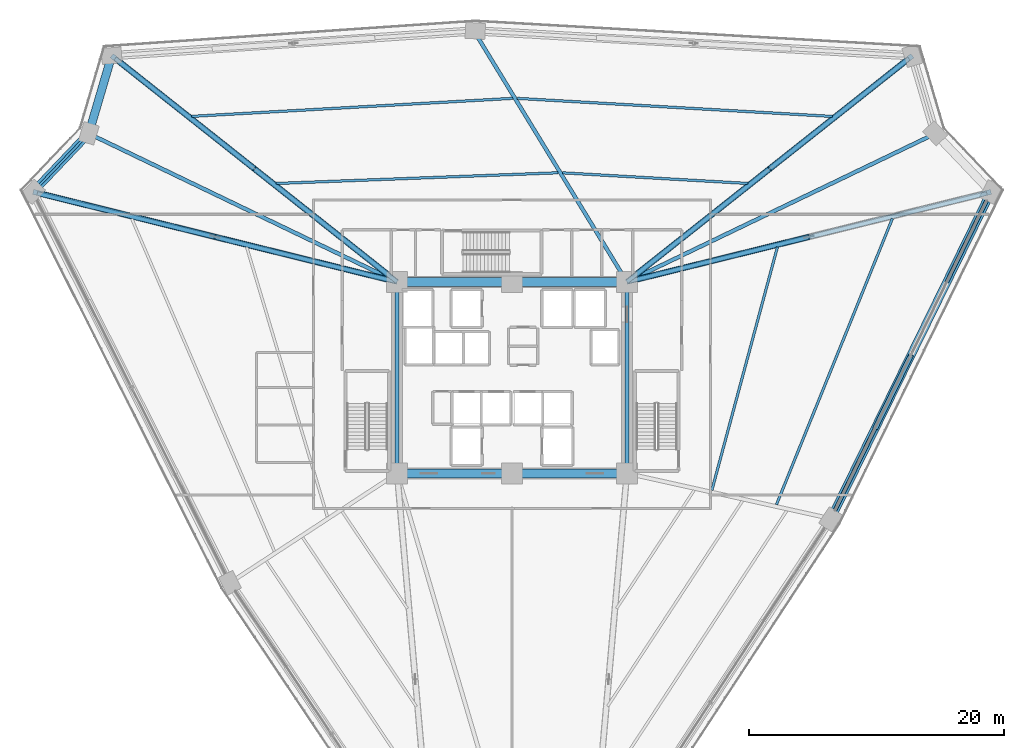
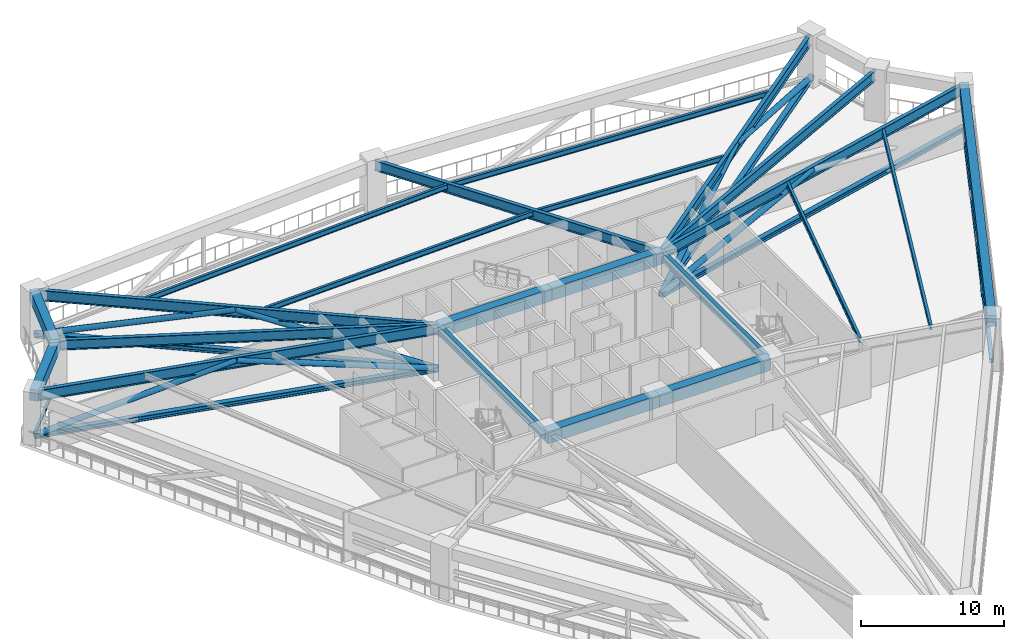
# One storey, part 7 of 25: 22 beams, 14 members.
"""IFC4 building model written with IfcOpenShell, lengths in metres."""

from ifc_helpers import new_model, si_unit, direction, frame, origin, origin_2d, place, context, subcontext, project, spatial, rectangle, hollow_rectangle, hollow_circle, i_section, extrude, source, transform, mapped, material, material_profile, profile_set, type_object, element, save


model = new_model("IFC4")

# Units and contexts
model_context = context("Model", 3, precision=1e-05, world=origin(), true_north=direction((0.0, 1.0)))
body_context = subcontext(model_context, "Body", "Model", "MODEL_VIEW")
ifc_project = project(units=[si_unit("LENGTHUNIT", "METRE"), si_unit("AREAUNIT", "SQUARE_METRE"), si_unit("VOLUMEUNIT", "CUBIC_METRE"), si_unit("PLANEANGLEUNIT", "RADIAN"), si_unit("MASSUNIT", "GRAM", prefix="KILO")], contexts=[model_context])

# Site, building, storey
site_placement = place(None, origin())
site = spatial("IfcSite", under=ifc_project, at=site_placement, CompositionType="ELEMENT")
building_placement = place(site_placement, origin())
building = spatial("IfcBuilding", under=site, at=building_placement, Name="Liaohun Quay Tower", CompositionType="ELEMENT")
storey_placement = place(building_placement, frame((0.0, 0.0, 93.0)))
storey = spatial("IfcBuildingStorey", under=building, at=storey_placement, Name="L24", CompositionType="ELEMENT", Elevation=93.0)

# Beams
ifc_material_1 = material(Name="Concrete C60", Category="concrete")
ifc_material_profile_1 = material_profile(ifc_material_1, rectangle(XDim=0.699951171875, YDim=1.050048828125, at=origin_2d()), Name="RC700x1050")
ifc_profile_set_1 = profile_set([ifc_material_profile_1], Name="Concrete C60")
beam_type_1 = type_object("IfcBeamType", Name="BM-CPL-1", PredefinedType="LINTEL", material=ifc_profile_set_1)
shared_shape_1 = source(origin(), body_context, "Body", "SweptSolid", [
    extrude(rectangle(XDim=0.699951171875, YDim=1.050048828125, at=origin_2d()), origin(), (0.0, 0.0, 1.0), 9.0),
])
for number, where, z_axis, x_axis, name in (
    (1, (51.0, 46.5, 3.695068359375), (1.0, 0.0, 0.0), (0.0, 1.0, 0.0), "L24 Core Coupling/Ring Beam CC1-CC2"),
    (2, (60.0, 46.5, 3.695068359375), (1.0, 0.0, 0.0), (0.0, 1.0, 0.0), "L24 Core Coupling/Ring Beam CC2-CC3"),
    (3, (69.0, 61.5, 3.695068359375), (-1.0, 0.0, 0.0), (0.0, -1.0, 0.0), "L24 Core Coupling/Ring Beam CC4-CC5"),
    (4, (60.0, 61.5, 3.695068359375), (-1.0, 0.0, 0.0), (0.0, -1.0, 0.0), "L24 Core Coupling/Ring Beam CC5-CC6"),
):
    element("IfcBeam", number, at=place(storey_placement, frame(where, z_axis=z_axis, x_axis=x_axis)), inside=storey, type_object=beam_type_1, Name=name, PredefinedType="LINTEL", context=body_context, shape_type="MappedRepresentation", body=[
        mapped(shared_shape_1, transform((0.0, 0.0, 0.0), x_axis=(1.0, 0.0, 0.0), y_axis=(0.0, 1.0, 0.0), z_axis=(0.0, 0.0, 1.0), scale=1.0)),
    ])
ifc_material_2 = material(Name="Steel Q355D", Category="steel")
ifc_material_profile_2 = material_profile(ifc_material_2, i_section(OverallWidth=0.300048828125, OverallDepth=0.800048828125, WebThickness=0.013916015625, FlangeThickness=0.02587890625, at=origin_2d()), Name="HN800x300x14x26")
ifc_profile_set_2 = profile_set([ifc_material_profile_2], Name="Steel Q355D")
beam_type_2 = type_object("IfcBeamType", Name="BM-RAD-M1", PredefinedType="BEAM", material=ifc_profile_set_2)
shared_shape_2 = source(origin(), body_context, "Body", "SweptSolid", [
    extrude(i_section(OverallWidth=0.300048828125, OverallDepth=0.800048828125, WebThickness=0.013916015625, FlangeThickness=0.02587890625, at=origin_2d()), origin(), (0.0, 0.0, 1.0), 15.0),
])
for number, where, z_axis, x_axis, name in (
    (5, (69.0, 46.5, 3.820068359375), (0.0, 1.0, 0.0), (-1.0, 0.0, 0.0), "L24 Core Coupling/Ring Beam CC3-CC4"),
    (6, (51.0, 61.5, 3.820068359375), (0.0, -1.0, 0.0), (1.0, 0.0, 0.0), "L24 Core Coupling/Ring Beam CC6-CC1"),
):
    element("IfcBeam", number, at=place(storey_placement, frame(where, z_axis=z_axis, x_axis=x_axis)), inside=storey, type_object=beam_type_2, Name=name, PredefinedType="BEAM", context=body_context, shape_type="MappedRepresentation", body=[
        mapped(shared_shape_2, transform((0.0, 0.0, 0.0), x_axis=(1.0, 0.0, 0.0), y_axis=(0.0, 1.0, 0.0), z_axis=(0.0, 0.0, 1.0), scale=1.0)),
    ])
ifc_material_3 = material(Name="Precast concrete C55", Category="concrete")
ifc_material_profile_3 = material_profile(ifc_material_3, rectangle(XDim=0.64990234375, YDim=0.949951171875, at=origin_2d()), Name="RC650x950")
ifc_profile_set_3 = profile_set([ifc_material_profile_3], Name="Precast concrete C55")
beam_type_3 = type_object("IfcBeamType", Name="BM-SPD-Z1", PredefinedType="SPANDREL", material=ifc_profile_set_3)
shared_shape_3 = source(origin(), body_context, "Body", "SweptSolid", [
    extrude(rectangle(XDim=0.64990234375, YDim=0.949951171875, at=origin_2d()), origin(), (0.0, 0.0, 1.0), 6.332763671875),
])
beam_1_placement = place(storey_placement, frame((22.47900390625, 68.554931640625, 3.7451171875), z_axis=(0.68942698867, 0.724355180346, 0.0), x_axis=(-0.724355180346, 0.68942698867, 0.0)))
element("IfcBeam", 7, at=beam_1_placement, inside=storey, type_object=beam_type_3, Name="L24 Precast Spandrel Beam PC03-PC04", PredefinedType="SPANDREL", context=body_context, shape_type="MappedRepresentation", body=[
    mapped(shared_shape_3, transform((0.0, 0.0, 0.0), x_axis=(1.0, 0.0, 0.0), y_axis=(0.0, 1.0, 0.0), z_axis=(0.0, 0.0, 1.0), scale=1.0)),
])
shared_shape_4 = source(origin(), body_context, "Body", "SweptSolid", [
    extrude(rectangle(XDim=0.64990234375, YDim=0.949951171875, at=origin_2d()), origin(), (0.0, 0.0, 1.0), 6.33837890625),
])
beam_2_placement = place(storey_placement, frame((26.844970703125, 73.14208984375, 3.7451171875), z_axis=(0.282718893772, 0.95920280812, 0.0), x_axis=(-0.95920280812, 0.282718893772, 0.0)))
element("IfcBeam", 8, at=beam_2_placement, inside=storey, type_object=beam_type_3, Name="L24 Precast Spandrel Beam PC04-PC05", PredefinedType="SPANDREL", context=body_context, shape_type="MappedRepresentation", body=[
    mapped(shared_shape_4, transform((0.0, 0.0, 0.0), x_axis=(1.0, 0.0, 0.0), y_axis=(0.0, 1.0, 0.0), z_axis=(0.0, 0.0, 1.0), scale=1.0)),
])
shared_shape_5 = source(origin(), body_context, "Body", "SweptSolid", [
    extrude(rectangle(XDim=0.64990234375, YDim=0.949951171875, at=origin_2d()), origin(), (0.0, 0.0, 1.0), 28.552978515625),
])
beam_3_placement = place(storey_placement, frame((97.52490234375, 68.550048828125, 3.7451171875), z_axis=(-0.439810731033, -0.898090485902, 0.0), x_axis=(0.898090485902, -0.439810731033, 0.0)))
element("IfcBeam", 9, at=beam_3_placement, inside=storey, type_object=beam_type_3, Name="L24 Precast Spandrel Beam PC09-PC10", PredefinedType="SPANDREL", context=body_context, shape_type="MappedRepresentation", body=[
    mapped(shared_shape_5, transform((0.0, 0.0, 0.0), x_axis=(1.0, 0.0, 0.0), y_axis=(0.0, 1.0, 0.0), z_axis=(0.0, 0.0, 1.0), scale=1.0)),
])
ifc_material_4 = material(Name="Steel Q420D", Category="steel")
ifc_material_profile_4 = material_profile(ifc_material_4, i_section(OverallWidth=0.300048828125, OverallDepth=0.89990234375, WebThickness=0.01611328125, FlangeThickness=0.028076171875, at=origin_2d()), Name="HN900x300x16x28")
ifc_profile_set_4 = profile_set([ifc_material_profile_4], Name="Steel Q420D")
beam_type_4 = type_object("IfcBeamType", Name="BM-RAD-H1", PredefinedType="BEAM", material=ifc_profile_set_4)
shared_shape_6 = source(origin(), body_context, "Body", "SweptSolid", [
    extrude(i_section(OverallWidth=0.300048828125, OverallDepth=0.89990234375, WebThickness=0.01611328125, FlangeThickness=0.028076171875, at=origin_2d()), origin(), (0.0, 0.0, 1.0), 29.03759765625),
])
beam_4_placement = place(storey_placement, frame((51.0, 61.5, 3.77001953125), z_axis=(-0.971088054637, 0.238721574519, 0.0), x_axis=(-0.238721574519, -0.971088054637, 0.0)))
element("IfcBeam", 10, at=beam_4_placement, inside=storey, type_object=beam_type_4, Name="L24 Radial Primary Girder CC6-PC03", PredefinedType="BEAM", context=body_context, shape_type="MappedRepresentation", body=[
    mapped(shared_shape_6, transform((0.0, 0.0, 0.0), x_axis=(1.0, 0.0, 0.0), y_axis=(0.0, 1.0, 0.0), z_axis=(0.0, 0.0, 1.0), scale=1.0)),
])
ifc_material_profile_5 = material_profile(ifc_material_2, i_section(OverallWidth=0.300048828125, OverallDepth=0.85009765625, WebThickness=0.01611328125, FlangeThickness=0.028076171875, at=origin_2d()), Name="HN850x300x16x28")
ifc_profile_set_5 = profile_set([ifc_material_profile_5], Name="Steel Q355D")
beam_type_5 = type_object("IfcBeamType", Name="BM-RAD-H2", PredefinedType="BEAM", material=ifc_profile_set_5)
shared_shape_7 = source(origin(), body_context, "Body", "SweptSolid", [
    extrude(i_section(OverallWidth=0.300048828125, OverallDepth=0.85009765625, WebThickness=0.01611328125, FlangeThickness=0.028076171875, at=origin_2d()), origin(), (0.0, 0.0, 1.0), 26.488525390625),
])
for number, where, z_axis, x_axis, name in (
    (11, (51.0, 61.5, 3.794921875), (-0.901222244053, 0.433357204652, 0.0), (-0.433357204652, -0.901222244053, 0.0), "L24 Radial Primary Girder CC6-PC04"),
    (12, (69.0, 61.5, 3.794921875), (0.901222244053, 0.433357204652, 0.0), (-0.433357204652, 0.901222244053, 0.0), "L24 Radial Primary Girder CC4-PC08"),
):
    element("IfcBeam", number, at=place(storey_placement, frame(where, z_axis=z_axis, x_axis=x_axis)), inside=storey, type_object=beam_type_5, Name=name, PredefinedType="BEAM", context=body_context, shape_type="MappedRepresentation", body=[
        mapped(shared_shape_7, transform((0.0, 0.0, 0.0), x_axis=(1.0, 0.0, 0.0), y_axis=(0.0, 1.0, 0.0), z_axis=(0.0, 0.0, 1.0), scale=1.0)),
    ])
shared_shape_8 = source(origin(), body_context, "Body", "SweptSolid", [
    extrude(i_section(OverallWidth=0.300048828125, OverallDepth=0.89990234375, WebThickness=0.01611328125, FlangeThickness=0.028076171875, at=origin_2d()), origin(), (0.0, 0.0, 1.0), 28.189453125),
])
beam_5_placement = place(storey_placement, frame((51.0, 61.5, 3.77001953125), z_axis=(-0.783799723911, 0.62101368165, 0.0), x_axis=(-0.62101368165, -0.783799723911, 0.0)))
element("IfcBeam", 13, at=beam_5_placement, inside=storey, type_object=beam_type_4, Name="L24 Radial Primary Girder CC6-PC05", PredefinedType="BEAM", context=body_context, shape_type="MappedRepresentation", body=[
    mapped(shared_shape_8, transform((0.0, 0.0, 0.0), x_axis=(1.0, 0.0, 0.0), y_axis=(0.0, 1.0, 0.0), z_axis=(0.0, 0.0, 1.0), scale=1.0)),
])
shared_shape_9 = source(origin(), body_context, "Body", "SweptSolid", [
    extrude(i_section(OverallWidth=0.300048828125, OverallDepth=0.85009765625, WebThickness=0.01611328125, FlangeThickness=0.028076171875, at=origin_2d()), origin(), (0.0, 0.0, 1.0), 22.774169921875),
])
beam_6_placement = place(storey_placement, frame((69.0, 61.5, 3.794921875), z_axis=(-0.520418907624, 0.853911096419, 0.0), x_axis=(-0.853911096419, -0.520418907624, 0.0)))
element("IfcBeam", 14, at=beam_6_placement, inside=storey, type_object=beam_type_5, Name="L24 Radial Primary Girder CC4-PC06", PredefinedType="BEAM", context=body_context, shape_type="MappedRepresentation", body=[
    mapped(shared_shape_9, transform((0.0, 0.0, 0.0), x_axis=(1.0, 0.0, 0.0), y_axis=(0.0, 1.0, 0.0), z_axis=(0.0, 0.0, 1.0), scale=1.0)),
])
shared_shape_10 = source(origin(), body_context, "Body", "SweptSolid", [
    extrude(i_section(OverallWidth=0.300048828125, OverallDepth=0.89990234375, WebThickness=0.01611328125, FlangeThickness=0.028076171875, at=origin_2d()), origin(), (0.0, 0.0, 1.0), 28.186767578125),
])
beam_7_placement = place(storey_placement, frame((69.0, 61.5, 3.77001953125), z_axis=(0.783948688973, 0.620825622102, 0.0), x_axis=(-0.620825622102, 0.783948688973, 0.0)))
element("IfcBeam", 15, at=beam_7_placement, inside=storey, type_object=beam_type_4, Name="L24 Radial Primary Girder CC4-PC07", PredefinedType="BEAM", context=body_context, shape_type="MappedRepresentation", body=[
    mapped(shared_shape_10, transform((0.0, 0.0, 0.0), x_axis=(1.0, 0.0, 0.0), y_axis=(0.0, 1.0, 0.0), z_axis=(0.0, 0.0, 1.0), scale=1.0)),
])
shared_shape_11 = source(origin(), body_context, "Body", "SweptSolid", [
    extrude(i_section(OverallWidth=0.300048828125, OverallDepth=0.89990234375, WebThickness=0.01611328125, FlangeThickness=0.028076171875, at=origin_2d()), origin(), (0.0, 0.0, 1.0), 29.040771484375),
])
beam_8_placement = place(storey_placement, frame((69.0, 61.5, 3.77001953125), z_axis=(0.971144381947, 0.238492325691, 0.0), x_axis=(-0.238492325691, 0.971144381947, 0.0)))
element("IfcBeam", 16, at=beam_8_placement, inside=storey, type_object=beam_type_4, Name="L24 Radial Primary Girder CC4-PC09", PredefinedType="BEAM", context=body_context, shape_type="MappedRepresentation", body=[
    mapped(shared_shape_11, transform((0.0, 0.0, 0.0), x_axis=(1.0, 0.0, 0.0), y_axis=(0.0, 1.0, 0.0), z_axis=(0.0, 0.0, 1.0), scale=1.0)),
])
ifc_material_profile_6 = material_profile(ifc_material_2, i_section(OverallWidth=0.199951171875, OverallDepth=0.449951171875, WebThickness=0.009033203125, FlangeThickness=0.013916015625, at=origin_2d()), Name="HN450x200x9x14")
ifc_profile_set_6 = profile_set([ifc_material_profile_6], Name="Steel Q355D")
beam_type_6 = type_object("IfcBeamType", Name="BM-SEC-J1", PredefinedType="JOIST", material=ifc_profile_set_6)
shared_shape_12 = source(origin(), body_context, "Body", "SweptSolid", [
    extrude(i_section(OverallWidth=0.199951171875, OverallDepth=0.449951171875, WebThickness=0.009033203125, FlangeThickness=0.013916015625, at=origin_2d()), origin(), (0.0, 0.0, 1.0), 22.119873046875),
])
beam_9_placement = place(storey_placement, frame((41.509033203125, 69.2109375, 3.9951171875), z_axis=(0.999280222635, 0.037934636564, 0.0), x_axis=(-0.037934636564, 0.999280222635, 0.0)))
element("IfcBeam", 17, at=beam_9_placement, inside=storey, type_object=beam_type_6, Name="L24 Wing Secondary Floor Joist SJ-06", PredefinedType="JOIST", context=body_context, shape_type="MappedRepresentation", body=[
    mapped(shared_shape_12, transform((0.0, 0.0, 0.0), x_axis=(1.0, 0.0, 0.0), y_axis=(0.0, 1.0, 0.0), z_axis=(0.0, 0.0, 1.0), scale=1.0)),
])
shared_shape_13 = source(origin(), body_context, "Body", "SweptSolid", [
    extrude(i_section(OverallWidth=0.199951171875, OverallDepth=0.449951171875, WebThickness=0.009033203125, FlangeThickness=0.013916015625, at=origin_2d()), origin(), (0.0, 0.0, 1.0), 25.224609375),
])
beam_10_placement = place(storey_placement, frame((34.875, 74.467041015625, 3.9951171875), z_axis=(0.998427480867, 0.056058589437, 0.0), x_axis=(-0.056058589437, 0.998427480867, 0.0)))
element("IfcBeam", 18, at=beam_10_placement, inside=storey, type_object=beam_type_6, Name="L24 Wing Secondary Floor Joist SJ-07", PredefinedType="JOIST", context=body_context, shape_type="MappedRepresentation", body=[
    mapped(shared_shape_13, transform((0.0, 0.0, 0.0), x_axis=(1.0, 0.0, 0.0), y_axis=(0.0, 1.0, 0.0), z_axis=(0.0, 0.0, 1.0), scale=1.0)),
])
shared_shape_14 = source(origin(), body_context, "Body", "SweptSolid", [
    extrude(i_section(OverallWidth=0.199951171875, OverallDepth=0.449951171875, WebThickness=0.009033203125, FlangeThickness=0.013916015625, at=origin_2d()), origin(), (0.0, 0.0, 1.0), 14.553955078125),
])
beam_11_placement = place(storey_placement, frame((63.967041015625, 70.0458984375, 3.9951171875), z_axis=(0.998356834157, -0.057302981525, 0.0), x_axis=(0.057302981525, 0.998356834157, 0.0)))
element("IfcBeam", 19, at=beam_11_placement, inside=storey, type_object=beam_type_6, Name="L24 Wing Secondary Floor Joist SJ-08", PredefinedType="JOIST", context=body_context, shape_type="MappedRepresentation", body=[
    mapped(shared_shape_14, transform((0.0, 0.0, 0.0), x_axis=(1.0, 0.0, 0.0), y_axis=(0.0, 1.0, 0.0), z_axis=(0.0, 0.0, 1.0), scale=1.0)),
])
shared_shape_15 = source(origin(), body_context, "Body", "SweptSolid", [
    extrude(i_section(OverallWidth=0.199951171875, OverallDepth=0.449951171875, WebThickness=0.009033203125, FlangeThickness=0.013916015625, at=origin_2d()), origin(), (0.0, 0.0, 1.0), 24.75439453125),
])
beam_12_placement = place(storey_placement, frame((60.412109375, 75.8798828125, 3.9951171875), z_axis=(0.998358082742, -0.057281224015, 0.0), x_axis=(0.057281224015, 0.998358082742, 0.0)))
element("IfcBeam", 20, at=beam_12_placement, inside=storey, type_object=beam_type_6, Name="L24 Wing Secondary Floor Joist SJ-09", PredefinedType="JOIST", context=body_context, shape_type="MappedRepresentation", body=[
    mapped(shared_shape_15, transform((0.0, 0.0, 0.0), x_axis=(1.0, 0.0, 0.0), y_axis=(0.0, 1.0, 0.0), z_axis=(0.0, 0.0, 1.0), scale=1.0)),
])
shared_shape_16 = source(origin(), body_context, "Body", "SweptSolid", [
    extrude(i_section(OverallWidth=0.199951171875, OverallDepth=0.449951171875, WebThickness=0.009033203125, FlangeThickness=0.013916015625, at=origin_2d()), origin(), (0.0, 0.0, 1.0), 19.750732421875),
])
beam_13_placement = place(storey_placement, frame((80.801025390625, 64.243896484375, 3.9951171875), z_axis=(-0.26030061067, -0.965527623678, 0.0), x_axis=(0.965527623678, -0.26030061067, 0.0)))
element("IfcBeam", 21, at=beam_13_placement, inside=storey, type_object=beam_type_6, Name="L24 Wing Secondary Floor Joist SJ-10", PredefinedType="JOIST", context=body_context, shape_type="MappedRepresentation", body=[
    mapped(shared_shape_16, transform((0.0, 0.0, 0.0), x_axis=(1.0, 0.0, 0.0), y_axis=(0.0, 1.0, 0.0), z_axis=(0.0, 0.0, 1.0), scale=1.0)),
])
shared_shape_17 = source(origin(), body_context, "Body", "SweptSolid", [
    extrude(i_section(OverallWidth=0.199951171875, OverallDepth=0.449951171875, WebThickness=0.009033203125, FlangeThickness=0.013916015625, at=origin_2d()), origin(), (0.0, 0.0, 1.0), 24.1748046875),
])
beam_14_placement = place(storey_placement, frame((89.801025390625, 66.4541015625, 3.9951171875), z_axis=(-0.375562343171, -0.926797133353, 0.0), x_axis=(0.926797133353, -0.375562343171, 0.0)))
element("IfcBeam", 22, at=beam_14_placement, inside=storey, type_object=beam_type_6, Name="L24 Wing Secondary Floor Joist SJ-11", PredefinedType="JOIST", context=body_context, shape_type="MappedRepresentation", body=[
    mapped(shared_shape_17, transform((0.0, 0.0, 0.0), x_axis=(1.0, 0.0, 0.0), y_axis=(0.0, 1.0, 0.0), z_axis=(0.0, 0.0, 1.0), scale=1.0)),
])

# Members
ifc_material_profile_7 = material_profile(ifc_material_4, i_section(OverallWidth=0.405029296875, OverallDepth=0.4140625, WebThickness=0.01806640625, FlangeThickness=0.028076171875, at=origin_2d()), Name="HW414x405x18x28")
ifc_profile_set_7 = profile_set([ifc_material_profile_7], Name="Steel Q420D")
member_type_1 = type_object("IfcMemberType", Name="MEM-OUT-CHD", PredefinedType="CHORD", material=ifc_profile_set_7)
shared_shape_18 = source(origin(), body_context, "Body", "SweptSolid", [
    extrude(i_section(OverallWidth=0.405029296875, OverallDepth=0.4140625, WebThickness=0.01806640625, FlangeThickness=0.028076171875, at=origin_2d()), origin(), (0.0, 0.0, 1.0), 29.380615234375),
])
member_1_placement = place(storey_placement, frame((51.0, 61.5, 0.35009765625), z_axis=(-0.970742678292, 0.240122161704, 0.0), x_axis=(-0.240122161704, -0.970742678292, 0.0)))
element("IfcMember", 23, at=member_1_placement, inside=storey, type_object=member_type_1, Name="L24 Outrigger Bottom Chord OC-02", PredefinedType="CHORD", context=body_context, shape_type="MappedRepresentation", body=[
    mapped(shared_shape_18, transform((0.0, 0.0, 0.0), x_axis=(1.0, 0.0, 0.0), y_axis=(0.0, 1.0, 0.0), z_axis=(0.0, 0.0, 1.0), scale=1.0)),
])
ifc_material_profile_8 = material_profile(ifc_material_4, hollow_circle(Radius=0.228515625, WallThickness=0.02001953125, at=origin_2d()), Name="CHS457x20")
ifc_profile_set_8 = profile_set([ifc_material_profile_8], Name="Steel Q420D")
member_type_2 = type_object("IfcMemberType", Name="MEM-OUT-DG1", PredefinedType="BRACE", material=ifc_profile_set_8)
shared_shape_19 = source(origin(), body_context, "Body", "SweptSolid", [
    extrude(hollow_circle(Radius=0.228515625, WallThickness=0.02001953125, at=origin_2d()), origin(), (0.0, 0.0, 1.0), 15.118408203125),
])
member_2_placement = place(storey_placement, frame((51.0, 61.5, 0.35009765625), z_axis=(-0.943285344229, 0.233362719077, 0.2361241214), x_axis=(-0.240153564839, -0.970734909898, 0.0)))
element("IfcMember", 24, at=member_2_placement, inside=storey, type_object=member_type_2, Name="L24 Outrigger Diagonal OD-02A", PredefinedType="BRACE", context=body_context, shape_type="MappedRepresentation", body=[
    mapped(shared_shape_19, transform((0.0, 0.0, 0.0), x_axis=(1.0, 0.0, 0.0), y_axis=(0.0, 1.0, 0.0), z_axis=(0.0, 0.0, 1.0), scale=1.0)),
])
shared_shape_20 = source(origin(), body_context, "Body", "SweptSolid", [
    extrude(hollow_circle(Radius=0.228515625, WallThickness=0.02001953125, at=origin_2d()), origin(), (0.0, 0.0, 1.0), 15.1171875),
])
member_3_placement = place(storey_placement, frame((36.739013671875, 65.028076171875, 3.919921875), z_axis=(-0.943295997644, 0.23330058693, -0.236142958749), x_axis=(-0.240090755665, -0.970750446327, 0.0)))
element("IfcMember", 25, at=member_3_placement, inside=storey, type_object=member_type_2, Name="L24 Outrigger Diagonal OD-02B", PredefinedType="BRACE", context=body_context, shape_type="MappedRepresentation", body=[
    mapped(shared_shape_20, transform((0.0, 0.0, 0.0), x_axis=(1.0, 0.0, 0.0), y_axis=(0.0, 1.0, 0.0), z_axis=(0.0, 0.0, 1.0), scale=1.0)),
])
shared_shape_21 = source(origin(), body_context, "Body", "SweptSolid", [
    extrude(i_section(OverallWidth=0.405029296875, OverallDepth=0.4140625, WebThickness=0.01806640625, FlangeThickness=0.028076171875, at=origin_2d()), origin(), (0.0, 0.0, 1.0), 28.53369140625),
])
member_4_placement = place(storey_placement, frame((51.0, 61.5, 0.35009765625), z_axis=(-0.783741240078, 0.621087488685, 0.0), x_axis=(-0.621087488685, -0.783741240078, 0.0)))
element("IfcMember", 26, at=member_4_placement, inside=storey, type_object=member_type_1, Name="L24 Outrigger Bottom Chord OC-03", PredefinedType="CHORD", context=body_context, shape_type="MappedRepresentation", body=[
    mapped(shared_shape_21, transform((0.0, 0.0, 0.0), x_axis=(1.0, 0.0, 0.0), y_axis=(0.0, 1.0, 0.0), z_axis=(0.0, 0.0, 1.0), scale=1.0)),
])
shared_shape_22 = source(origin(), body_context, "Body", "SweptSolid", [
    extrude(hollow_circle(Radius=0.228515625, WallThickness=0.02001953125, at=origin_2d()), origin(), (0.0, 0.0, 1.0), 14.706298828125),
])
member_5_placement = place(storey_placement, frame((51.0, 61.5, 0.35009765625), z_axis=(-0.760280336547, 0.602536734174, 0.242741207524), x_axis=(-0.621113569376, -0.783720571337, 0.0)))
element("IfcMember", 27, at=member_5_placement, inside=storey, type_object=member_type_2, Name="L24 Outrigger Diagonal OD-03A", PredefinedType="BRACE", context=body_context, shape_type="MappedRepresentation", body=[
    mapped(shared_shape_22, transform((0.0, 0.0, 0.0), x_axis=(1.0, 0.0, 0.0), y_axis=(0.0, 1.0, 0.0), z_axis=(0.0, 0.0, 1.0), scale=1.0)),
])
shared_shape_23 = source(origin(), body_context, "Body", "SweptSolid", [
    extrude(hollow_circle(Radius=0.228515625, WallThickness=0.02001953125, at=origin_2d()), origin(), (0.0, 0.0, 1.0), 14.70703125),
])
member_6_placement = place(storey_placement, frame((39.819091796875, 70.361083984375, 3.919921875), z_axis=(-0.760322963676, 0.602488136843, -0.242728316992), x_axis=(-0.621061408778, -0.783761906785, 0.0)))
element("IfcMember", 28, at=member_6_placement, inside=storey, type_object=member_type_2, Name="L24 Outrigger Diagonal OD-03B", PredefinedType="BRACE", context=body_context, shape_type="MappedRepresentation", body=[
    mapped(shared_shape_23, transform((0.0, 0.0, 0.0), x_axis=(1.0, 0.0, 0.0), y_axis=(0.0, 1.0, 0.0), z_axis=(0.0, 0.0, 1.0), scale=1.0)),
])
shared_shape_24 = source(origin(), body_context, "Body", "SweptSolid", [
    extrude(i_section(OverallWidth=0.405029296875, OverallDepth=0.4140625, WebThickness=0.01806640625, FlangeThickness=0.028076171875, at=origin_2d()), origin(), (0.0, 0.0, 1.0), 28.531005859375),
])
member_7_placement = place(storey_placement, frame((69.0, 61.5, 0.35009765625), z_axis=(0.783884255344, 0.620906977109, 0.0), x_axis=(-0.620906977109, 0.783884255344, 0.0)))
element("IfcMember", 29, at=member_7_placement, inside=storey, type_object=member_type_1, Name="L24 Outrigger Bottom Chord OC-04", PredefinedType="CHORD", context=body_context, shape_type="MappedRepresentation", body=[
    mapped(shared_shape_24, transform((0.0, 0.0, 0.0), x_axis=(1.0, 0.0, 0.0), y_axis=(0.0, 1.0, 0.0), z_axis=(0.0, 0.0, 1.0), scale=1.0)),
])
shared_shape_25 = source(origin(), body_context, "Body", "SweptSolid", [
    extrude(hollow_circle(Radius=0.228515625, WallThickness=0.02001953125, at=origin_2d()), origin(), (0.0, 0.0, 1.0), 14.7060546875),
])
member_8_placement = place(storey_placement, frame((69.0, 61.5, 0.35009765625), z_axis=(0.760442223975, 0.602330803176, 0.242745190564), x_axis=(-0.62090192722, 0.783888255285, 0.0)))
element("IfcMember", 30, at=member_8_placement, inside=storey, type_object=member_type_2, Name="L24 Outrigger Diagonal OD-04A", PredefinedType="BRACE", context=body_context, shape_type="MappedRepresentation", body=[
    mapped(shared_shape_25, transform((0.0, 0.0, 0.0), x_axis=(1.0, 0.0, 0.0), y_axis=(0.0, 1.0, 0.0), z_axis=(0.0, 0.0, 1.0), scale=1.0)),
])
shared_shape_26 = source(origin(), body_context, "Body", "SweptSolid", [
    extrude(hollow_circle(Radius=0.228515625, WallThickness=0.02001953125, at=origin_2d()), origin(), (0.0, 0.0, 1.0), 14.70458984375),
])
member_9_placement = place(storey_placement, frame((80.18310546875, 70.35791015625, 3.919921875), z_axis=(0.760430028458, 0.602337088763, -0.242767797125), x_axis=(-0.620912027472, 0.783880254975, 0.0)))
element("IfcMember", 31, at=member_9_placement, inside=storey, type_object=member_type_2, Name="L24 Outrigger Diagonal OD-04B", PredefinedType="BRACE", context=body_context, shape_type="MappedRepresentation", body=[
    mapped(shared_shape_26, transform((0.0, 0.0, 0.0), x_axis=(1.0, 0.0, 0.0), y_axis=(0.0, 1.0, 0.0), z_axis=(0.0, 0.0, 1.0), scale=1.0)),
])
shared_shape_27 = source(origin(), body_context, "Body", "SweptSolid", [
    extrude(i_section(OverallWidth=0.405029296875, OverallDepth=0.4140625, WebThickness=0.01806640625, FlangeThickness=0.028076171875, at=origin_2d()), origin(), (0.0, 0.0, 1.0), 29.38330078125),
])
member_10_placement = place(storey_placement, frame((69.0, 61.5, 0.35009765625), z_axis=(0.970789060717, 0.239934573566, 0.0), x_axis=(-0.239934573566, 0.970789060717, 0.0)))
element("IfcMember", 32, at=member_10_placement, inside=storey, type_object=member_type_1, Name="L24 Outrigger Bottom Chord OC-05", PredefinedType="CHORD", context=body_context, shape_type="MappedRepresentation", body=[
    mapped(shared_shape_27, transform((0.0, 0.0, 0.0), x_axis=(1.0, 0.0, 0.0), y_axis=(0.0, 1.0, 0.0), z_axis=(0.0, 0.0, 1.0), scale=1.0)),
])
shared_shape_28 = source(origin(), body_context, "Body", "SweptSolid", [
    extrude(hollow_circle(Radius=0.228515625, WallThickness=0.02001953125, at=origin_2d()), origin(), (0.0, 0.0, 1.0), 15.11962890625),
])
member_11_placement = place(storey_placement, frame((69.0, 61.5, 0.35009765625), z_axis=(0.943345763537, 0.233135792505, 0.236106909407), x_axis=(-0.239919002107, 0.970792909136, 0.0)))
element("IfcMember", 33, at=member_11_placement, inside=storey, type_object=member_type_2, Name="L24 Outrigger Diagonal OD-05A", PredefinedType="BRACE", context=body_context, shape_type="MappedRepresentation", body=[
    mapped(shared_shape_28, transform((0.0, 0.0, 0.0), x_axis=(1.0, 0.0, 0.0), y_axis=(0.0, 1.0, 0.0), z_axis=(0.0, 0.0, 1.0), scale=1.0)),
])
ifc_material_profile_9 = material_profile(ifc_material_2, i_section(OverallWidth=0.300048828125, OverallDepth=0.300048828125, WebThickness=0.010009765625, FlangeThickness=0.014892578125, at=origin_2d()), Name="HW300x300x10x15")
ifc_profile_set_9 = profile_set([ifc_material_profile_9], Name="Steel Q355D")
member_type_3 = type_object("IfcMemberType", Name="MEM-BLT-CHD", PredefinedType="CHORD", material=ifc_profile_set_9)
shared_shape_29 = source(origin(), body_context, "Body", "SweptSolid", [
    extrude(i_section(OverallWidth=0.300048828125, OverallDepth=0.300048828125, WebThickness=0.010009765625, FlangeThickness=0.014892578125, at=origin_2d()), origin(), (0.0, 0.0, 1.0), 28.552978515625),
])
member_12_placement = place(storey_placement, frame((97.52490234375, 68.550048828125, 0.35009765625), z_axis=(-0.439810731033, -0.898090485902, 0.0), x_axis=(0.898090485902, -0.439810731033, 0.0)))
element("IfcMember", 34, at=member_12_placement, inside=storey, type_object=member_type_3, Name="L24 Belt Truss Bottom Chord BC-1-05", PredefinedType="CHORD", context=body_context, shape_type="MappedRepresentation", body=[
    mapped(shared_shape_29, transform((0.0, 0.0, 0.0), x_axis=(1.0, 0.0, 0.0), y_axis=(0.0, 1.0, 0.0), z_axis=(0.0, 0.0, 1.0), scale=1.0)),
])
ifc_material_profile_10 = material_profile(ifc_material_4, hollow_rectangle(XDim=0.39990234375, YDim=0.39990234375, WallThickness=0.02001953125, at=origin_2d()), Name="SHS400x400x20")
ifc_profile_set_10 = profile_set([ifc_material_profile_10], Name="Steel Q420D")
member_type_4 = type_object("IfcMemberType", Name="MEM-BLT-DG1", PredefinedType="BRACE", material=ifc_profile_set_10)
shared_shape_30 = source(origin(), body_context, "Body", "SweptSolid", [
    extrude(hollow_rectangle(XDim=0.39990234375, YDim=0.39990234375, WallThickness=0.02001953125, at=origin_2d()), origin(), (0.0, 0.0, 1.0), 7.22509765625),
])
member_13_placement = place(storey_placement, frame((91.24609375, 55.72802734375, 3.919921875), z_axis=(-0.382446228025, -0.780774213177, -0.494091601535), x_axis=(0.898050800938, -0.439891758202, 0.0)))
element("IfcMember", 35, at=member_13_placement, inside=storey, type_object=member_type_4, Name="L24 Belt Truss Diagonal BD-05B", PredefinedType="BRACE", context=body_context, shape_type="MappedRepresentation", body=[
    mapped(shared_shape_30, transform((0.0, 0.0, 0.0), x_axis=(1.0, 0.0, 0.0), y_axis=(0.0, 1.0, 0.0), z_axis=(0.0, 0.0, 1.0), scale=1.0)),
])
ifc_material_profile_11 = material_profile(ifc_material_2, i_section(OverallWidth=0.199951171875, OverallDepth=0.199951171875, WebThickness=0.008056640625, FlangeThickness=0.011962890625, at=origin_2d()), Name="HW200x200x8x12")
ifc_profile_set_11 = profile_set([ifc_material_profile_11], Name="Steel Q355D")
member_type_5 = type_object("IfcMemberType", Name="MEM-HDR-TRM", PredefinedType="STUD", material=ifc_profile_set_11)
shared_shape_31 = source(origin(), body_context, "Body", "SweptSolid", [
    extrude(i_section(OverallWidth=0.199951171875, OverallDepth=0.199951171875, WebThickness=0.008056640625, FlangeThickness=0.011962890625, at=origin_2d()), origin(), (0.0, 0.0, 1.0), 6.332763671875),
])
member_14_placement = place(storey_placement, frame((22.47900390625, 68.554931640625, 0.35009765625), z_axis=(0.68942698867, 0.724355180346, 0.0), x_axis=(-0.724355180346, 0.68942698867, 0.0)))
element("IfcMember", 36, at=member_14_placement, inside=storey, type_object=member_type_5, Name="L24 Refuge Notch Header Tie Stud HT-1-01", PredefinedType="STUD", context=body_context, shape_type="MappedRepresentation", body=[
    mapped(shared_shape_31, transform((0.0, 0.0, 0.0), x_axis=(1.0, 0.0, 0.0), y_axis=(0.0, 1.0, 0.0), z_axis=(0.0, 0.0, 1.0), scale=1.0)),
])

save(model, "model.ifc")
